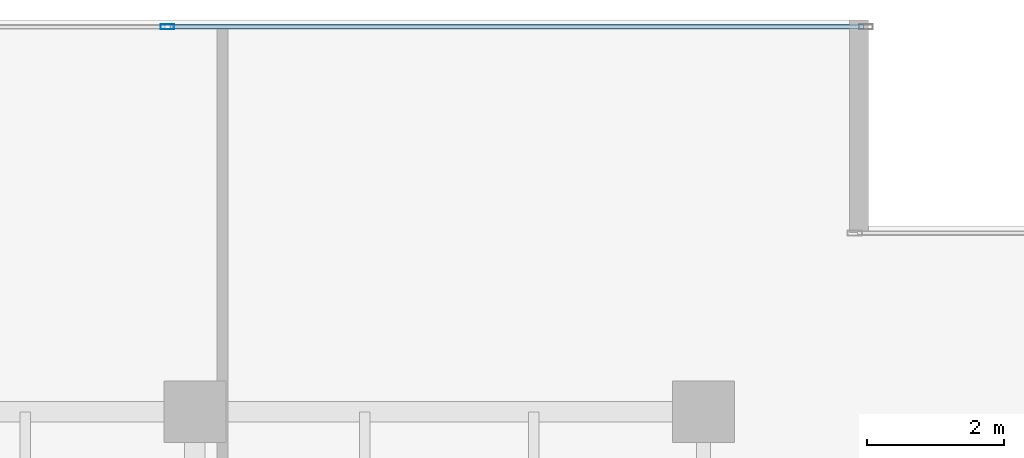
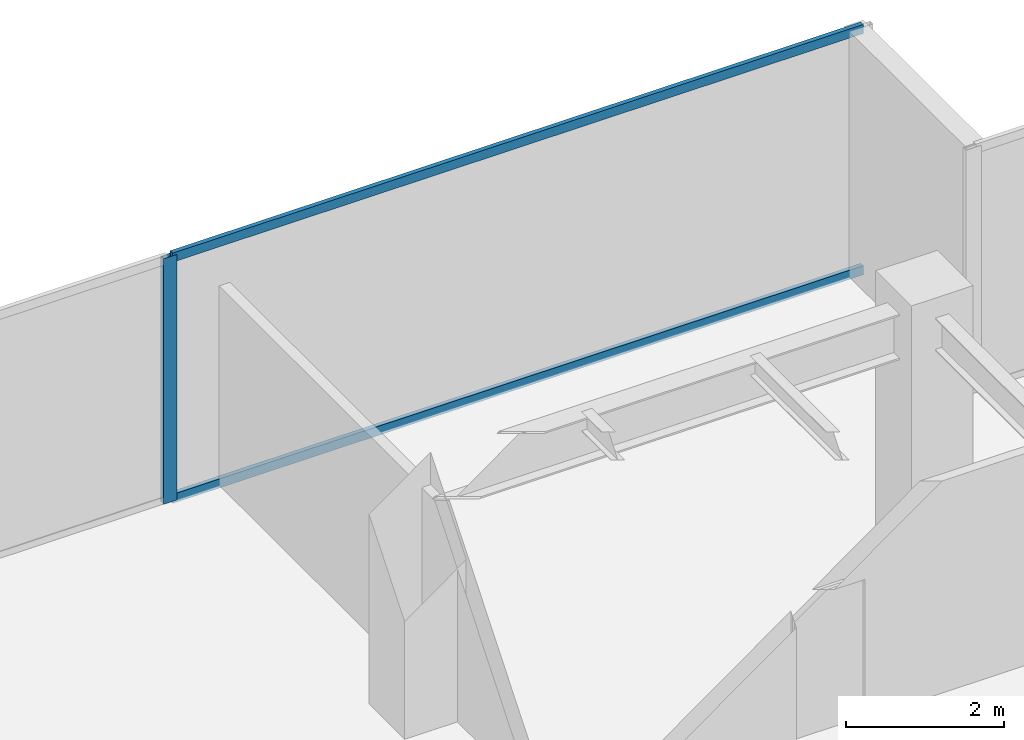
# One storey, part 20 of 31: 3 members, 1 element without a shape of its own.
"""IFC4 building model written with IfcOpenShell, lengths in metres."""

from ifc_helpers import new_model, si_unit, direction, frame, origin, origin_2d, place, context, subcontext, project, spatial, hollow_rectangle, extrude, source, transform, mapped, material, layer, layer_set, material_profile, profile_set, type_object, type_shapes, element, aggregate, save


model = new_model("IFC4")

# Units and contexts
model_context = context("Model", 3, precision=1e-05, world=origin(), true_north=direction((0.0, 1.0)))
body_context = subcontext(model_context, "Body", "Model", "MODEL_VIEW")
ifc_project = project(units=[si_unit("LENGTHUNIT", "METRE"), si_unit("AREAUNIT", "SQUARE_METRE"), si_unit("VOLUMEUNIT", "CUBIC_METRE"), si_unit("PLANEANGLEUNIT", "RADIAN"), si_unit("MASSUNIT", "GRAM", prefix="KILO")], contexts=[model_context])

# Site, building, storey
site_placement = place(None, origin())
site = spatial("IfcSite", under=ifc_project, at=site_placement, CompositionType="ELEMENT")
building_placement = place(site_placement, origin())
building = spatial("IfcBuilding", under=site, at=building_placement, Name="Haelvirn Gate Laboratories", CompositionType="ELEMENT")
storey_placement = place(building_placement, frame((0.0, 0.0, 150.199951171875)))
storey = spatial("IfcBuildingStorey", under=building, at=storey_placement, Name="L36", CompositionType="ELEMENT", Elevation=150.199951171875)

# Curtain wall, members
ifc_material_1 = material(Name="Anodised bronze unitised aluminium & triple low-E glass", Category="aluminium")
ifc_layer = layer(ifc_material_1, 0.179931640625, Name="CW-SYS-3")
ifc_layer_set = layer_set([ifc_layer], Name="Anodised bronze unitised aluminium & triple low-E glass")
curtain_wall_type = type_object("IfcCurtainWallType", Name="CW-SYS-3", PredefinedType="NOTDEFINED", material=ifc_layer_set)
curtain_wall_placement = place(storey_placement, origin())
curtain_wall = element("IfcCurtainWall", 1, at=curtain_wall_placement, inside=storey, type_object=curtain_wall_type, Name="L36 Unitised Curtain Wall CW-L36-P0-E10-1", PredefinedType="NOTDEFINED")
ifc_material_2 = material(Name="Extruded aluminium 6063-T6 (anodised bronze)", Category="aluminium")
ifc_material_profile_1 = material_profile(ifc_material_2, hollow_rectangle(XDim=0.06494140625, YDim=0.139892578125, WallThickness=0.00390625, at=origin_2d()), Name="CWT-140x65x4")
ifc_profile_set_1 = profile_set([ifc_material_profile_1], Name="Extruded aluminium 6063-T6 (anodised bronze)")
member_type_1 = type_object("IfcMemberType", Name="CWT-T140", PredefinedType="USERDEFINED", material=ifc_profile_set_1)
shared_shape_1 = source(origin(), body_context, "Body", "SweptSolid", [
    extrude(hollow_rectangle(XDim=0.06494140625, YDim=0.139892578125, WallThickness=0.00390625, at=origin_2d()), origin(), (0.0, 0.0, 1.0), 10.087646484375),
])
type_shapes(member_type_1, [shared_shape_1])
member_1_placement = place(storey_placement, frame((59.637451171875, 47.199951171875, 0.032470703125), z_axis=(1.0, 0.0, 0.0), x_axis=(0.0, 1.0, 0.0)))
member_1 = element("IfcMember", 2, at=member_1_placement, type_object=member_type_1, Name="CW3 transom 2.1", ObjectType="TRANSOM", PredefinedType="USERDEFINED", context=body_context, shape_type="MappedRepresentation", body=[
    mapped(shared_shape_1, transform((0.0, 0.0, 0.0), scale=1.0)),
])
member_2_placement = place(storey_placement, frame((59.637451171875, 47.199951171875, 3.757568359375), z_axis=(1.0, 0.0, 0.0), x_axis=(0.0, 1.0, 0.0)))
member_2 = element("IfcMember", 3, at=member_2_placement, type_object=member_type_1, Name="CW3 transom 2.2", ObjectType="TRANSOM", PredefinedType="USERDEFINED", context=body_context, shape_type="MappedRepresentation", body=[
    mapped(shared_shape_1, transform((0.0, 0.0, 0.0), scale=1.0)),
])
ifc_material_profile_2 = material_profile(ifc_material_2, hollow_rectangle(XDim=0.074951171875, YDim=0.199951171875, WallThickness=0.0048828125, at=origin_2d()), Name="CWM-200x75x5")
ifc_profile_set_2 = profile_set([ifc_material_profile_2], Name="Extruded aluminium 6063-T6 (anodised bronze)")
member_type_2 = type_object("IfcMemberType", Name="CWM-T200", PredefinedType="MULLION", material=ifc_profile_set_2)
shared_shape_2 = source(origin(), body_context, "Body", "SweptSolid", [
    extrude(hollow_rectangle(XDim=0.074951171875, YDim=0.199951171875, WallThickness=0.0048828125, at=origin_2d()), origin(), (0.0, 0.0, 1.0), 3.7900390625),
])
type_shapes(member_type_2, [shared_shape_2])
member_3_placement = place(storey_placement, frame((59.60009765625, 47.199951171875, 0.0), z_axis=(0.0, 0.0, 1.0), x_axis=(0.0, 1.0, 0.0)))
member_3 = element("IfcMember", 4, at=member_3_placement, type_object=member_type_2, Name="CW3 mullion 2", PredefinedType="MULLION", context=body_context, shape_type="MappedRepresentation", body=[
    mapped(shared_shape_2, transform((0.0, 0.0, 0.0), scale=1.0)),
])
aggregate(curtain_wall, [member_3, member_1, member_2])

save(model, "model.ifc")
